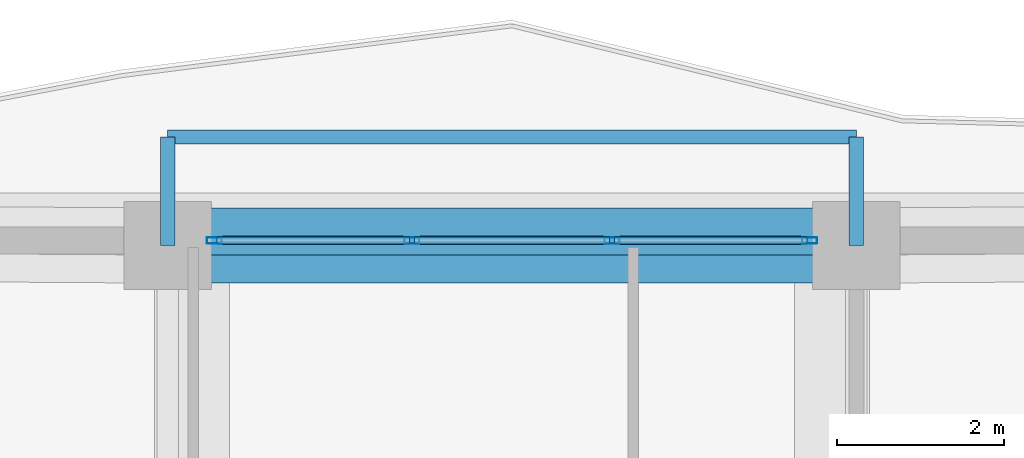
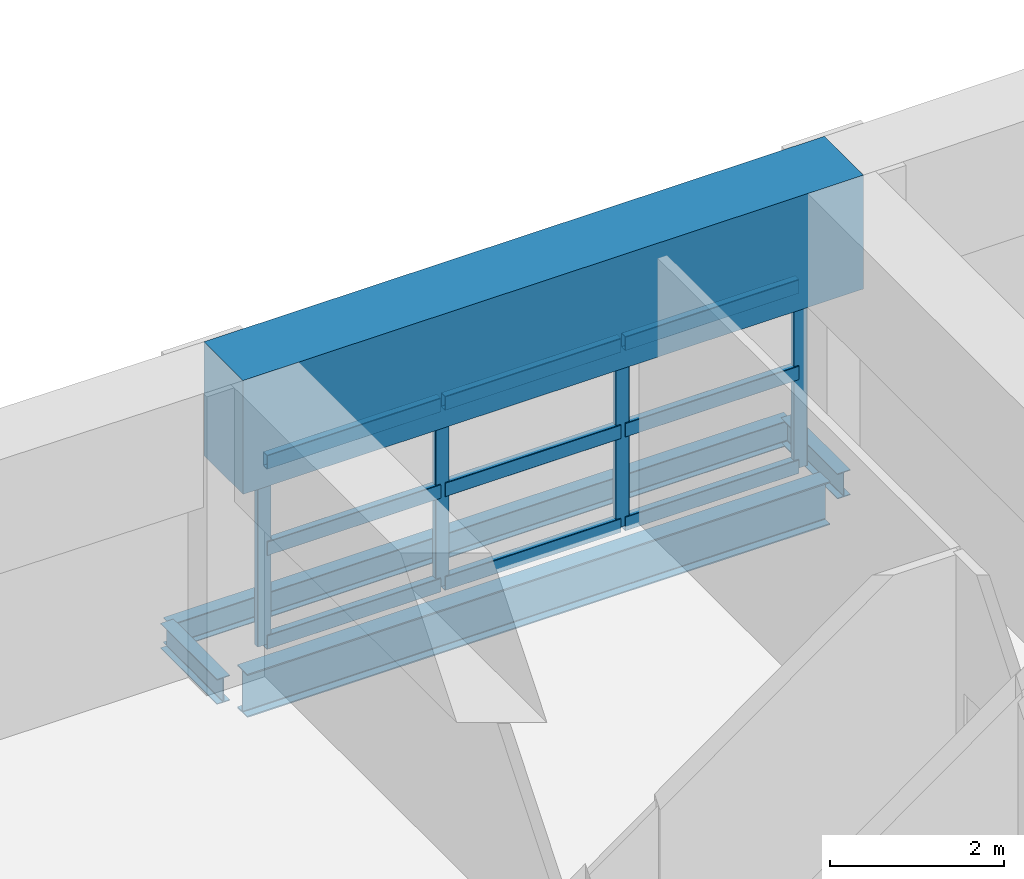
# One storey, part 8 of 23: 13 members, 5 beams, 1 element without a shape of its own.
"""IFC4 building model written with IfcOpenShell, lengths in metres."""

import ifcopenshell
import ifcopenshell.guid

model = None  # the IFC model being written
_history = None  # IfcOwnerHistory: only IFC2X3 demands one
_inside = {}  # id of a spatial element -> (the spatial element, [elements in it])
_under = {}  # id of a project, library or spatial element -> (it, [spatial elements below it])
_declared = {}  # id of a project -> (the project, [libraries it declares])
_typed = {}  # id of a type object -> (the type object, [elements of that type])
_made_of = {}  # id of a material, layer set ... -> (it, [elements and type objects made of it])


def new_model(schema):
    """Start an empty IFC model of exactly this schema.

    Asked for "IFC4X3", IfcOpenShell would pick the latest addendum, in which some entities
    have other attributes; the version numbers below select the first issue.
    IFC2X3 requires an IfcOwnerHistory on every rooted entity: one is made here for all.
    """
    global model, _history
    if schema == "IFC4X3":
        model = ifcopenshell.file(schema_version=(4, 3, 0, 0))
    else:
        model = ifcopenshell.file(schema=schema)
    _inside.clear()
    _under.clear()
    _declared.clear()
    _typed.clear()
    _made_of.clear()
    _history = None
    if model.schema == "IFC2X3":
        org = make("IfcOrganization", Name="unknown")
        user = make(
            "IfcPersonAndOrganization",
            ThePerson=make("IfcPerson", FamilyName="unknown"),
            TheOrganization=org,
        )
        app = make(
            "IfcApplication",
            ApplicationDeveloper=org,
            Version="unknown",
            ApplicationFullName="unknown",
            ApplicationIdentifier="unknown",
        )
        _history = make(
            "IfcOwnerHistory",
            OwningUser=user,
            OwningApplication=app,
            ChangeAction="ADDED",
            CreationDate=0,
        )
    return model


def make(cls, **values):
    """One entity of the class cls with the attributes given. An attribute that is None is left unset."""
    return model.create_entity(
        cls, **{name: value for name, value in values.items() if value is not None}
    )


def rooted(cls, **values):
    """An entity with a GlobalId (a new one), such as an element, a storey or a relation."""
    return make(cls, GlobalId=ifcopenshell.guid.new(), OwnerHistory=_history, **values)


def si_unit(unit_type, name, prefix=None):
    """IfcSIUnit, for example si_unit("LENGTHUNIT", "METRE", prefix="MILLI")."""
    return make("IfcSIUnit", UnitType=unit_type, Prefix=prefix, Name=name)


def assignment(units):
    """IfcUnitAssignment: the units of a project."""
    return None if units is None else make("IfcUnitAssignment", Units=units)


def point(xyz):
    """IfcCartesianPoint."""
    return None if xyz is None else make("IfcCartesianPoint", Coordinates=xyz)


def direction(xyz):
    """IfcDirection."""
    return None if xyz is None else make("IfcDirection", DirectionRatios=xyz)


def frame(location, z_axis=None, x_axis=None):
    """IfcAxis2Placement3D, a coordinate frame: its origin and axes. An axis left out is left unset."""
    return make(
        "IfcAxis2Placement3D",
        Location=point(location),
        Axis=direction(z_axis),
        RefDirection=direction(x_axis),
    )


def frame_2d(location, x_axis=None):
    """IfcAxis2Placement2D, a coordinate frame in the plane: its origin and x axis."""
    return make(
        "IfcAxis2Placement2D", Location=point(location), RefDirection=direction(x_axis)
    )


def origin():
    """The frame at (0, 0, 0) with its axes left unset."""
    return frame((0.0, 0.0, 0.0))


def origin_2d():
    """The frame at (0, 0) in the plane with its x axis left unset."""
    return frame_2d((0.0, 0.0))


def place(relative_to, where):
    """IfcLocalPlacement: puts the frame where relative to a parent placement (None: the world)."""
    return make(
        "IfcLocalPlacement", PlacementRelTo=relative_to, RelativePlacement=where
    )


def context(
    kind, dimensions, precision=None, world=None, true_north=None, identifier=None
):
    """IfcGeometricRepresentationContext, for example the 3D "Model" context."""
    return make(
        "IfcGeometricRepresentationContext",
        ContextIdentifier=identifier,
        ContextType=kind,
        CoordinateSpaceDimension=dimensions,
        Precision=precision,
        WorldCoordinateSystem=world,
        TrueNorth=true_north,
    )


def subcontext(parent, identifier, kind, view, scale=None):
    """IfcGeometricRepresentationSubContext, for example "Body" below "Model"."""
    return make(
        "IfcGeometricRepresentationSubContext",
        ContextIdentifier=identifier,
        ContextType=kind,
        ParentContext=parent,
        TargetScale=scale,
        TargetView=view,
    )


def project(units=None, contexts=None):
    """IfcProject with its units and contexts."""
    return rooted(
        "IfcProject",
        Name="project",
        RepresentationContexts=contexts,
        UnitsInContext=assignment(units),
    )


def spatial(cls, under=None, at=None, **own):
    """A site, building, storey or space (cls), placed at a placement, below another one or the project."""
    s = rooted(cls, ObjectPlacement=at, **own)
    if under is not None:
        _under.setdefault(under.id(), (under, []))[1].append(s)
    return s


def profile(cls, at=None, kind="AREA", **sizes):
    """A parametric profile (cls). Its sizes go by their IFC names, for example OverallWidth=200.0."""
    return make(cls, ProfileType=kind, Position=at, **sizes)


def rectangle(**sizes):
    """IfcRectangleProfileDef."""
    return profile("IfcRectangleProfileDef", **sizes)


def hollow_rectangle(**sizes):
    """IfcRectangleHollowProfileDef."""
    return profile("IfcRectangleHollowProfileDef", **sizes)


def i_section(**sizes):
    """IfcIShapeProfileDef."""
    return profile("IfcIShapeProfileDef", **sizes)


def extrude(swept, where, along, depth):
    """IfcExtrudedAreaSolid: the profile swept, set in the frame where, extruded along a direction by depth."""
    return make(
        "IfcExtrudedAreaSolid",
        SweptArea=swept,
        Position=where,
        ExtrudedDirection=direction(along),
        Depth=depth,
    )


def shape(context_of_items, identifier, shape_type, items):
    """IfcShapeRepresentation: the items that make up one representation, for example the "Body"."""
    return make(
        "IfcShapeRepresentation",
        ContextOfItems=context_of_items,
        RepresentationIdentifier=identifier,
        RepresentationType=shape_type,
        Items=items,
    )


def material(Name=None, Category=None):
    """IfcMaterial."""
    return make("IfcMaterial", Name=Name, Category=Category)


def layer(
    of_material, thickness, ventilated=None, Name=None, Category=None, Priority=None
):
    """IfcMaterialLayer: one layer of a wall or slab, of a material (None: an air gap)."""
    return make(
        "IfcMaterialLayer",
        Material=of_material,
        LayerThickness=thickness,
        IsVentilated=ventilated,
        Name=Name,
        Category=Category,
        Priority=Priority,
    )


def layer_set(layers, Name=None):
    """IfcMaterialLayerSet."""
    return make("IfcMaterialLayerSet", MaterialLayers=layers, LayerSetName=Name)


def material_profile(
    of_material, cross_section, Name=None, Category=None, Priority=None
):
    """IfcMaterialProfile: a cross section and its material."""
    return make(
        "IfcMaterialProfile",
        Name=Name,
        Material=of_material,
        Profile=cross_section,
        Priority=Priority,
        Category=Category,
    )


def profile_set(profiles, Name=None, composite=None):
    """IfcMaterialProfileSet."""
    return make(
        "IfcMaterialProfileSet",
        Name=Name,
        MaterialProfiles=profiles,
        CompositeProfile=composite,
    )


def made_of(thing, what):
    """Note that an element or type object is made of a material, layer set ...; save() writes the relation."""
    if what is not None:
        _made_of.setdefault(what.id(), (what, []))[1].append(thing)
    return thing


def type_object(cls, material=None, **own):
    """A type object (cls), such as IfcWallType, which elements share."""
    return made_of(rooted(cls, **own), material)


def element(
    cls,
    number,
    at=None,
    inside=None,
    cuts=None,
    type_object=None,
    material=None,
    context=None,
    identifier="Body",
    shape_type=None,
    held_by="IfcProductDefinitionShape",
    body=None,
    shapes=None,
    **own,
):
    """One element of the class cls, such as IfcWall. Its Tag is "e" and its number.

    at: its placement. inside: the storey or other place that contains it. cuts: it is an
    opening in that element (IfcRelVoidsElement). A single representation is given by context,
    identifier, shape_type and body (its items); several are given by shapes. held_by: the class
    of the entity that holds the representations. save() writes the other relations.
    """
    e = rooted(cls, Tag="e%d" % number, ObjectPlacement=at, **own)
    if body is not None:
        shapes = [shape(context, identifier, shape_type, body)]
    if shapes is not None:
        e.Representation = make(held_by, Representations=shapes)
    if inside is not None:
        _inside.setdefault(inside.id(), (inside, []))[1].append(e)
    if cuts is not None:
        rooted(
            "IfcRelVoidsElement", RelatingBuildingElement=cuts, RelatedOpeningElement=e
        )
    if type_object is not None:
        _typed.setdefault(type_object.id(), (type_object, []))[1].append(e)
    return made_of(e, material)


def aggregate(whole, parts):
    """IfcRelAggregates: a whole, such as a stair, and the parts it consists of."""
    return rooted("IfcRelAggregates", RelatingObject=whole, RelatedObjects=parts)


def save(model, path):
    """Write the relations noted so far, then the file.

    IfcRelAggregates (storeys below a building ...), IfcRelContainedInSpatialStructure (elements
    in a storey), IfcRelDefinesByType, IfcRelAssociatesMaterial and IfcRelDeclares: one each for
    every whole, place, type object, material and project.
    """
    for whole, parts in _under.values():
        aggregate(whole, parts)
    for where, things in _inside.values():
        rooted(
            "IfcRelContainedInSpatialStructure",
            RelatedElements=things,
            RelatingStructure=where,
        )
    for kind, things in _typed.values():
        rooted("IfcRelDefinesByType", RelatedObjects=things, RelatingType=kind)
    for what, things in _made_of.values():
        rooted("IfcRelAssociatesMaterial", RelatedObjects=things, RelatingMaterial=what)
    for by, libraries in _declared.values():
        rooted("IfcRelDeclares", RelatingContext=by, RelatedDefinitions=libraries)
    model.write(path)


model = new_model("IFC4")

# Units and contexts
model_context = context("Model", 3, precision=1e-05, world=origin(), true_north=direction((0.0, 1.0)))
body_context = subcontext(model_context, "Body", "Model", "MODEL_VIEW")
ifc_project = project(units=[si_unit("LENGTHUNIT", "METRE"), si_unit("AREAUNIT", "SQUARE_METRE"), si_unit("VOLUMEUNIT", "CUBIC_METRE"), si_unit("PLANEANGLEUNIT", "RADIAN"), si_unit("MASSUNIT", "GRAM", prefix="KILO")], contexts=[model_context])

# Site, building, storey
site_placement = place(None, origin())
site = spatial("IfcSite", under=ifc_project, at=site_placement, CompositionType="ELEMENT")
building_placement = place(site_placement, origin())
building = spatial("IfcBuilding", under=site, at=building_placement, Name="Cinnabar Lancet Tower", CompositionType="ELEMENT")
storey_placement = place(building_placement, frame((0.0, 0.0, 94.199951171875)))
storey = spatial("IfcBuildingStorey", under=building, at=storey_placement, Name="L24", CompositionType="ELEMENT", Elevation=94.199951171875)

# Curtain wall, members
ifc_material_1 = material(Name="Thermally broken bronze-anodized aluminium and low-E glass", Category="aluminium")
ifc_layer = layer(ifc_material_1, 0.179931640625)
ifc_layer_set = layer_set([ifc_layer], Name="Thermally broken bronze-anodized aluminium and low-E glass")
curtain_wall_type = type_object("IfcCurtainWallType", Name="ENV-CW-SYS-03", PredefinedType="NOTDEFINED", material=ifc_layer_set)
curtain_wall_placement = place(storey_placement, origin())
curtain_wall = element("IfcCurtainWall", 1, at=curtain_wall_placement, inside=storey, type_object=curtain_wall_type, Name="L24 Face 4 Feature Curtain Wall", PredefinedType="NOTDEFINED")
ifc_material_2 = material(Name="Anodized architectural aluminium 6063-T6", Category="aluminium")
ifc_material_profile_1 = material_profile(ifc_material_2, hollow_rectangle(XDim=0.074951171875, YDim=0.179931640625, WallThickness=0.00390625, InnerFilletRadius=0.001953125, OuterFilletRadius=0.006103515625, at=origin_2d()), Name="CW-MUL 180x75x4")
ifc_profile_set_1 = profile_set([ifc_material_profile_1], Name="Anodized architectural aluminium 6063-T6")
member_type_1 = type_object("IfcMemberType", Name="ENV-CW-MUL-180", PredefinedType="MULLION", material=ifc_profile_set_1)
member_1_placement = place(storey_placement, frame((35.962890625, 49.320068359375, 0.0), z_axis=(0.0, 0.0, 1.0), x_axis=(0.0, -1.0, 0.0)))
member_1 = element("IfcMember", 2, at=member_1_placement, type_object=member_type_1, Name="CW-03 mullion 1", PredefinedType="MULLION", context=body_context, shape_type="SweptSolid", body=[
    extrude(hollow_rectangle(XDim=0.074951171875, YDim=0.179931640625, WallThickness=0.00390625, InnerFilletRadius=0.001953125, OuterFilletRadius=0.006103515625, at=origin_2d()), origin(), (0.0, 0.0, 1.0), 2.590087890625),
])
member_2_placement = place(storey_placement, frame((33.59765625, 49.320068359375, 0.0), z_axis=(0.0, 0.0, 1.0), x_axis=(0.0, -1.0, 0.0)))
member_2 = element("IfcMember", 3, at=member_2_placement, type_object=member_type_1, Name="CW-03 mullion 2", PredefinedType="MULLION", context=body_context, shape_type="SweptSolid", body=[
    extrude(hollow_rectangle(XDim=0.074951171875, YDim=0.179931640625, WallThickness=0.00390625, InnerFilletRadius=0.001953125, OuterFilletRadius=0.006103515625, at=origin_2d()), origin(), (0.0, 0.0, 1.0), 2.590087890625),
])
member_3_placement = place(storey_placement, frame((31.202392578125, 49.320068359375, 0.0), z_axis=(0.0, 0.0, 1.0), x_axis=(0.0, -1.0, 0.0)))
member_3 = element("IfcMember", 4, at=member_3_placement, type_object=member_type_1, Name="CW-03 mullion 3", PredefinedType="MULLION", context=body_context, shape_type="SweptSolid", body=[
    extrude(hollow_rectangle(XDim=0.074951171875, YDim=0.179931640625, WallThickness=0.00390625, InnerFilletRadius=0.001953125, OuterFilletRadius=0.006103515625, at=origin_2d()), origin(), (0.0, 0.0, 1.0), 2.590087890625),
])
member_4_placement = place(storey_placement, frame((28.8369140625, 49.320068359375, 0.0), z_axis=(0.0, 0.0, 1.0), x_axis=(0.0, -1.0, 0.0)))
member_4 = element("IfcMember", 5, at=member_4_placement, type_object=member_type_1, Name="CW-03 mullion 4", PredefinedType="MULLION", context=body_context, shape_type="SweptSolid", body=[
    extrude(hollow_rectangle(XDim=0.074951171875, YDim=0.179931640625, WallThickness=0.00390625, InnerFilletRadius=0.001953125, OuterFilletRadius=0.006103515625, at=origin_2d()), origin(), (0.0, 0.0, 1.0), 2.590087890625),
])
ifc_material_3 = material(Name="Anodized architectural aluminium 6063-T6", Category="aluminium")
ifc_material_profile_2 = material_profile(ifc_material_3, hollow_rectangle(XDim=0.10009765625, YDim=0.199951171875, WallThickness=0.008056640625, InnerFilletRadius=0.00390625, OuterFilletRadius=0.011962890625, at=origin_2d()), Name="RHS 200x100x8")
ifc_profile_set_2 = profile_set([ifc_material_profile_2], Name="Anodized architectural aluminium 6063-T6")
member_type_2 = type_object("IfcMemberType", Name="ENV-CW-TRN-140", PredefinedType="USERDEFINED", material=ifc_profile_set_2)
member_5_placement = place(storey_placement, frame((35.93310546875, 49.320068359375, 0.030029296875), z_axis=(-1.0, 0.0, 0.0), x_axis=(0.0, -1.0, 0.0)))
member_5 = element("IfcMember", 6, at=member_5_placement, type_object=member_type_2, Name="CW-03 transom 1.1", ObjectType="TRANSOM", PredefinedType="USERDEFINED", context=body_context, shape_type="SweptSolid", body=[
    extrude(hollow_rectangle(XDim=0.10009765625, YDim=0.199951171875, WallThickness=0.008056640625, InnerFilletRadius=0.00390625, OuterFilletRadius=0.011962890625, at=origin_2d()), origin(), (0.0, 0.0, 1.0), 2.305419921875),
])
member_6_placement = place(storey_placement, frame((35.93310546875, 49.320068359375, 1.34716796875), z_axis=(-1.0, 0.0, 0.0), x_axis=(0.0, -1.0, 0.0)))
member_6 = element("IfcMember", 7, at=member_6_placement, type_object=member_type_2, Name="CW-03 transom 1.2", ObjectType="TRANSOM", PredefinedType="USERDEFINED", context=body_context, shape_type="SweptSolid", body=[
    extrude(hollow_rectangle(XDim=0.10009765625, YDim=0.199951171875, WallThickness=0.008056640625, InnerFilletRadius=0.00390625, OuterFilletRadius=0.011962890625, at=origin_2d()), origin(), (0.0, 0.0, 1.0), 2.305419921875),
])
member_7_placement = place(storey_placement, frame((35.93310546875, 49.320068359375, 2.56005859375), z_axis=(-1.0, 0.0, 0.0), x_axis=(0.0, -1.0, 0.0)))
member_7 = element("IfcMember", 8, at=member_7_placement, type_object=member_type_2, Name="CW-03 transom 1.3", ObjectType="TRANSOM", PredefinedType="USERDEFINED", context=body_context, shape_type="SweptSolid", body=[
    extrude(hollow_rectangle(XDim=0.10009765625, YDim=0.199951171875, WallThickness=0.008056640625, InnerFilletRadius=0.00390625, OuterFilletRadius=0.011962890625, at=origin_2d()), origin(), (0.0, 0.0, 1.0), 2.305419921875),
])
member_8_placement = place(storey_placement, frame((33.567626953125, 49.320068359375, 0.030029296875), z_axis=(-1.0, 0.0, 0.0), x_axis=(0.0, -1.0, 0.0)))
member_8 = element("IfcMember", 9, at=member_8_placement, type_object=member_type_2, Name="CW-03 transom 2.1", ObjectType="TRANSOM", PredefinedType="USERDEFINED", context=body_context, shape_type="SweptSolid", body=[
    extrude(hollow_rectangle(XDim=0.10009765625, YDim=0.199951171875, WallThickness=0.008056640625, InnerFilletRadius=0.00390625, OuterFilletRadius=0.011962890625, at=origin_2d()), origin(), (0.0, 0.0, 1.0), 2.335205078125),
])
member_9_placement = place(storey_placement, frame((33.567626953125, 49.320068359375, 1.34716796875), z_axis=(-1.0, 0.0, 0.0), x_axis=(0.0, -1.0, 0.0)))
member_9 = element("IfcMember", 10, at=member_9_placement, type_object=member_type_2, Name="CW-03 transom 2.2", ObjectType="TRANSOM", PredefinedType="USERDEFINED", context=body_context, shape_type="SweptSolid", body=[
    extrude(hollow_rectangle(XDim=0.10009765625, YDim=0.199951171875, WallThickness=0.008056640625, InnerFilletRadius=0.00390625, OuterFilletRadius=0.011962890625, at=origin_2d()), origin(), (0.0, 0.0, 1.0), 2.335205078125),
])
member_10_placement = place(storey_placement, frame((33.567626953125, 49.320068359375, 2.56005859375), z_axis=(-1.0, 0.0, 0.0), x_axis=(0.0, -1.0, 0.0)))
member_10 = element("IfcMember", 11, at=member_10_placement, type_object=member_type_2, Name="CW-03 transom 2.3", ObjectType="TRANSOM", PredefinedType="USERDEFINED", context=body_context, shape_type="SweptSolid", body=[
    extrude(hollow_rectangle(XDim=0.10009765625, YDim=0.199951171875, WallThickness=0.008056640625, InnerFilletRadius=0.00390625, OuterFilletRadius=0.011962890625, at=origin_2d()), origin(), (0.0, 0.0, 1.0), 2.335205078125),
])
member_11_placement = place(storey_placement, frame((31.17236328125, 49.320068359375, 0.030029296875), z_axis=(-1.0, 0.0, 0.0), x_axis=(0.0, -1.0, 0.0)))
member_11 = element("IfcMember", 12, at=member_11_placement, type_object=member_type_2, Name="CW-03 transom 3.1", ObjectType="TRANSOM", PredefinedType="USERDEFINED", context=body_context, shape_type="SweptSolid", body=[
    extrude(hollow_rectangle(XDim=0.10009765625, YDim=0.199951171875, WallThickness=0.008056640625, InnerFilletRadius=0.00390625, OuterFilletRadius=0.011962890625, at=origin_2d()), origin(), (0.0, 0.0, 1.0), 2.305419921875),
])
member_12_placement = place(storey_placement, frame((31.17236328125, 49.320068359375, 1.34716796875), z_axis=(-1.0, 0.0, 0.0), x_axis=(0.0, -1.0, 0.0)))
member_12 = element("IfcMember", 13, at=member_12_placement, type_object=member_type_2, Name="CW-03 transom 3.2", ObjectType="TRANSOM", PredefinedType="USERDEFINED", context=body_context, shape_type="SweptSolid", body=[
    extrude(hollow_rectangle(XDim=0.10009765625, YDim=0.199951171875, WallThickness=0.008056640625, InnerFilletRadius=0.00390625, OuterFilletRadius=0.011962890625, at=origin_2d()), origin(), (0.0, 0.0, 1.0), 2.305419921875),
])
member_13_placement = place(storey_placement, frame((31.17236328125, 49.320068359375, 2.56005859375), z_axis=(-1.0, 0.0, 0.0), x_axis=(0.0, -1.0, 0.0)))
member_13 = element("IfcMember", 14, at=member_13_placement, type_object=member_type_2, Name="CW-03 transom 3.3", ObjectType="TRANSOM", PredefinedType="USERDEFINED", context=body_context, shape_type="SweptSolid", body=[
    extrude(hollow_rectangle(XDim=0.10009765625, YDim=0.199951171875, WallThickness=0.008056640625, InnerFilletRadius=0.00390625, OuterFilletRadius=0.011962890625, at=origin_2d()), origin(), (0.0, 0.0, 1.0), 2.305419921875),
])
aggregate(curtain_wall, [member_1, member_2, member_3, member_4, member_5, member_6, member_7, member_8, member_9, member_10, member_11, member_12, member_13])

# Beams
ifc_material_4 = material(Name="Concrete C70/85", Category="concrete")
ifc_material_profile_3 = material_profile(ifc_material_4, rectangle(XDim=0.89990234375, YDim=1.60009765625, at=origin_2d()), Name="RC-BG 900x1600")
ifc_profile_set_3 = profile_set([ifc_material_profile_3], Name="Concrete C70/85")
beam_type_1 = type_object("IfcBeamType", Name="STR-BM-BG-1600", PredefinedType="BEAM", material=ifc_profile_set_3)
beam_1_placement = place(storey_placement, frame((36.52197265625, 49.258056640625, 3.400146484375), z_axis=(-1.0, 0.0, 0.0), x_axis=(0.0, -1.0, 0.0)))
element("IfcBeam", 15, at=beam_1_placement, inside=storey, type_object=beam_type_1, Name="L25 Setback Outer Ring Girder 14", PredefinedType="BEAM", context=body_context, shape_type="SweptSolid", body=[
    extrude(rectangle(XDim=0.89990234375, YDim=1.60009765625, at=origin_2d()), origin(), (0.0, 0.0, 1.0), 8.243896484375),
])
ifc_material_5 = material(Name="Structural steel S355", Category="steel")
ifc_material_profile_4 = material_profile(ifc_material_5, i_section(OverallWidth=0.228271484375, OverallDepth=0.607666015625, WebThickness=0.010986328125, FlangeThickness=0.017333984375, FilletRadius=0.0126953125, at=origin_2d()), Name="UKB 610x229x113")
ifc_profile_set_4 = profile_set([ifc_material_profile_4], Name="Structural steel S355")
beam_type_2 = type_object("IfcBeamType", Name="STR-BM-SPN-610", PredefinedType="SPANDREL", material=ifc_profile_set_4)
beam_2_placement = place(storey_placement, frame((36.27197265625, 49.258056640625, -0.52392578125), z_axis=(-1.0, 0.0, 0.0), x_axis=(0.0, -1.0, 0.0)))
element("IfcBeam", 16, at=beam_2_placement, inside=storey, type_object=beam_type_2, Name="L24 Perimeter Spandrel 14", PredefinedType="SPANDREL", context=body_context, shape_type="SweptSolid", body=[
    extrude(i_section(OverallWidth=0.228271484375, OverallDepth=0.607666015625, WebThickness=0.010986328125, FlangeThickness=0.017333984375, FilletRadius=0.0126953125, at=origin_2d()), origin(), (0.0, 0.0, 1.0), 7.743896484375),
])
ifc_material_6 = material(Name="Structural steel S355", Category="steel")
ifc_material_profile_5 = material_profile(ifc_material_6, i_section(OverallWidth=0.17138671875, OverallDepth=0.35498046875, WebThickness=0.00732421875, FlangeThickness=0.011474609375, FilletRadius=0.01025390625, at=origin_2d()), Name="UKB 356x171x51")
ifc_profile_set_5 = profile_set([ifc_material_profile_5], Name="Structural steel S355")
beam_type_3 = type_object("IfcBeamType", Name="STR-BM-WAV-OUT", PredefinedType="BEAM", material=ifc_profile_set_5)
for number, where, z_axis, x_axis, name in (
    (17, (36.52197265625, 49.258056640625, -0.41796875), (0.0, 1.0, 0.0), (-1.0, 0.0, 0.0), "L24 Face 4 Balcony Outlooker A"),
    (18, (28.278076171875, 49.258056640625, -0.41796875), (0.0, 1.0, 0.0), (-1.0, 0.0, 0.0), "L24 Face 4 Balcony Outlooker B"),
):
    element("IfcBeam", number, at=place(storey_placement, frame(where, z_axis=z_axis, x_axis=x_axis)), inside=storey, type_object=beam_type_3, Name=name, PredefinedType="BEAM", context=body_context, shape_type="SweptSolid", body=[
        extrude(i_section(OverallWidth=0.17138671875, OverallDepth=0.35498046875, WebThickness=0.00732421875, FlangeThickness=0.011474609375, FilletRadius=0.01025390625, at=origin_2d()), origin(), (0.0, 0.0, 1.0), 1.300048828125),
    ])
ifc_material_7 = material(Name="Structural steel S355", Category="steel")
ifc_material_profile_6 = material_profile(ifc_material_7, i_section(OverallWidth=0.17138671875, OverallDepth=0.35498046875, WebThickness=0.00732421875, FlangeThickness=0.011474609375, FilletRadius=0.01025390625, at=origin_2d()), Name="UKB 356x171x51")
ifc_profile_set_6 = profile_set([ifc_material_profile_6], Name="Structural steel S355")
beam_type_4 = type_object("IfcBeamType", Name="STR-BM-WAV-TRIM", PredefinedType="SPANDREL", material=ifc_profile_set_6)
beam_3_placement = place(storey_placement, frame((36.52197265625, 50.55810546875, -0.41796875), z_axis=(-1.0, 0.0, 0.0), x_axis=(0.0, -1.0, 0.0)))
element("IfcBeam", 19, at=beam_3_placement, inside=storey, type_object=beam_type_4, Name="L24 Face 4 Balcony Edge Trimmer", PredefinedType="SPANDREL", context=body_context, shape_type="SweptSolid", body=[
    extrude(i_section(OverallWidth=0.17138671875, OverallDepth=0.35498046875, WebThickness=0.00732421875, FlangeThickness=0.011474609375, FilletRadius=0.01025390625, at=origin_2d()), origin(), (0.0, 0.0, 1.0), 8.243896484375),
])

save(model, "model.ifc")
